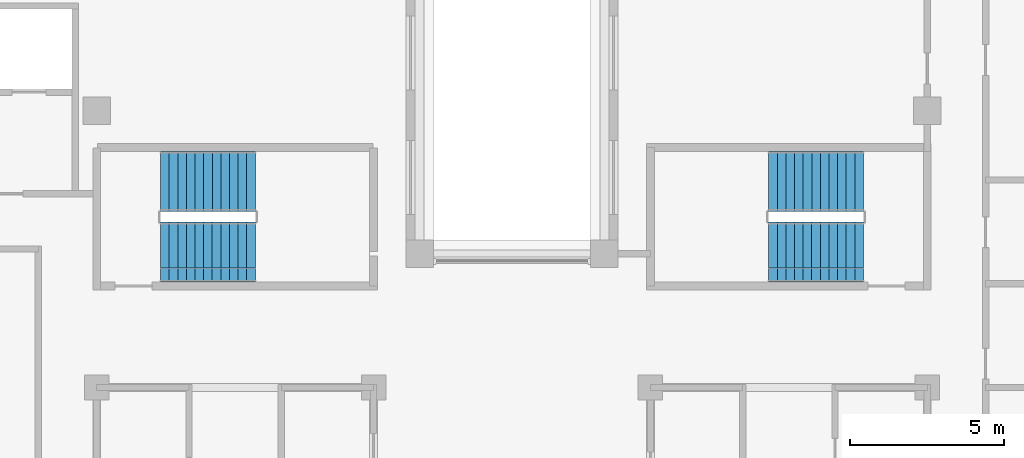
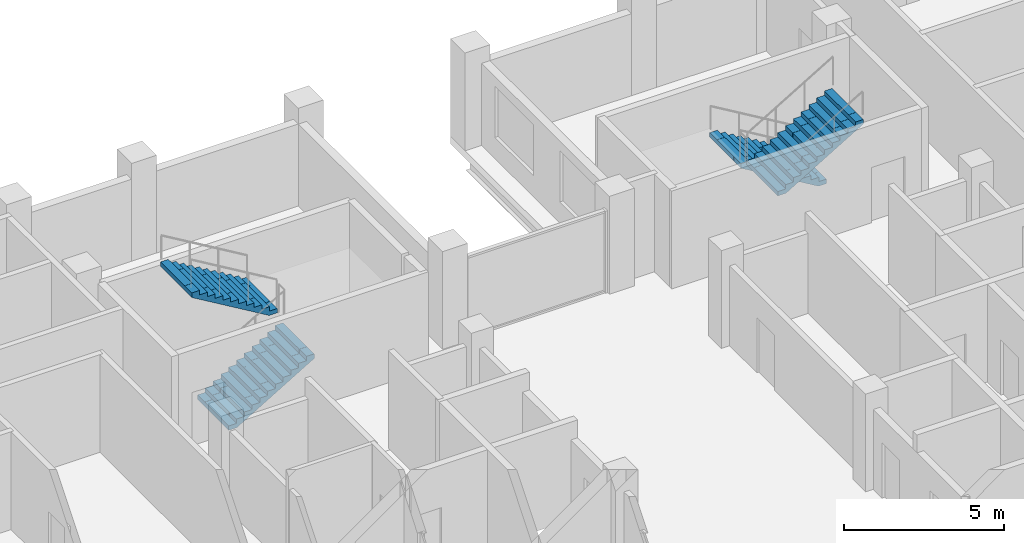
# One storey, part 12 of 13: 4 stair flights, 2 elements without a shape of their own.
"""IFC4 building model written with IfcOpenShell, lengths in metres."""

from ifc_helpers import new_model, si_unit, direction, frame, origin, place, context, subcontext, project, spatial, polyline, outline, extrude, material, type_object, element, aggregate, save


model = new_model("IFC4")

# Units and contexts
model_context = context("Model", 3, precision=1e-05, world=origin(), true_north=direction((0.0, 1.0)))
body_context = subcontext(model_context, "Body", "Model", "MODEL_VIEW")
ifc_project = project(units=[si_unit("LENGTHUNIT", "METRE"), si_unit("AREAUNIT", "SQUARE_METRE"), si_unit("VOLUMEUNIT", "CUBIC_METRE"), si_unit("PLANEANGLEUNIT", "RADIAN"), si_unit("MASSUNIT", "GRAM", prefix="KILO")], contexts=[model_context])

# Site, building, storey
site_placement = place(None, origin())
site = spatial("IfcSite", under=ifc_project, at=site_placement, CompositionType="ELEMENT")
building_placement = place(site_placement, origin())
building = spatial("IfcBuilding", under=site, at=building_placement, Name="Corbelhall Arena Tower", CompositionType="ELEMENT")
storey_placement = place(building_placement, frame((0.0, 0.0, 258.0)))
storey = spatial("IfcBuildingStorey", under=building, at=storey_placement, Name="L55", CompositionType="ELEMENT", Elevation=258.0)

# Stair, stair flights
ifc_material = material(Name="Concrete C40/50", Category="concrete")
stair_type = type_object("IfcStairType", Name="IN-ST-TOWER", PredefinedType="HALF_TURN_STAIR", material=ifc_material)
stair_1_placement = place(storey_placement, origin())
stair_1 = element("IfcStair", 1, at=stair_1_placement, inside=storey, type_object=stair_type, Name="L55 Exit stair ST1", PredefinedType="HALF_TURN_STAIR")
stair_flight_type = type_object("IfcStairFlightType", Name="IN-SFL-RC", PredefinedType="STRAIGHT", material=ifc_material)
stair_flight_1_placement = place(storey_placement, frame((-11.425048828125, 13.39990234375, 0.0), z_axis=(0.0, 0.0, 1.0), x_axis=(1.0, 0.0, 0.0)))
stair_flight_1 = element("IfcStairFlight", 2, at=stair_flight_1_placement, type_object=stair_flight_type, Name="ST1 flight 1", NumberOfRisers=12, NumberOfTreads=11, PredefinedType="STRAIGHT", RiserHeight=0.166666667, TreadLength=0.28, context=body_context, shape_type="SweptSolid", body=[
    extrude(outline(polyline([(0.0, 0.0), (0.0, 0.166748046875), (0.280029296875, 0.166748046875), (0.280029296875, 0.333251953125), (0.56005859375, 0.333251953125), (0.56005859375, 0.5), (0.840087890625, 0.5), (0.840087890625, 0.666748046875), (1.1201171875, 0.666748046875), (1.1201171875, 0.833251953125), (1.39990234375, 0.833251953125), (1.39990234375, 1.0), (1.679931640625, 1.0), (1.679931640625, 1.166748046875), (1.9599609375, 1.166748046875), (1.9599609375, 1.333251953125), (2.239990234375, 1.333251953125), (2.239990234375, 1.5), (2.52001953125, 1.5), (2.52001953125, 1.666748046875), (2.800048828125, 1.666748046875), (2.800048828125, 1.833251953125), (3.080078125, 1.833251953125), (3.080078125, 2.0), (3.080078125, 1.658935546875), (0.29296875, 0.0), (0.0, 0.0)])), frame((0.0, 0.97509765625, 0.0), z_axis=(0.0, -1.0, 0.0), x_axis=(1.0, 0.0, 0.0)), (0.0, 0.0, 1.0), 0.449951171875),
    extrude(outline(polyline([(0.0, 0.0), (0.0, 0.166748046875), (0.280029296875, 0.166748046875), (0.280029296875, 0.333251953125), (0.56005859375, 0.333251953125), (0.56005859375, 0.5), (0.840087890625, 0.5), (0.840087890625, 0.666748046875), (1.1201171875, 0.666748046875), (1.1201171875, 0.833251953125), (1.39990234375, 0.833251953125), (1.39990234375, 1.0), (1.679931640625, 1.0), (1.679931640625, 1.166748046875), (1.9599609375, 1.166748046875), (1.9599609375, 1.333251953125), (2.239990234375, 1.333251953125), (2.239990234375, 1.5), (2.52001953125, 1.5), (2.52001953125, 1.666748046875), (2.800048828125, 1.666748046875), (2.800048828125, 1.833251953125), (3.080078125, 1.833251953125), (3.080078125, 2.0), (3.080078125, 1.658935546875), (0.29296875, 0.0), (0.0, 0.0)])), frame((0.0, 0.52099609375, 0.0), z_axis=(0.0, -1.0, 0.0), x_axis=(1.0, 0.0, 0.0)), (0.0, 0.0, 1.0), 1.0419921875),
    extrude(outline(polyline([(0.0, 0.0), (0.0, 0.166748046875), (0.280029296875, 0.166748046875), (0.280029296875, 0.333251953125), (0.56005859375, 0.333251953125), (0.56005859375, 0.5), (0.840087890625, 0.5), (0.840087890625, 0.666748046875), (1.1201171875, 0.666748046875), (1.1201171875, 0.833251953125), (1.39990234375, 0.833251953125), (1.39990234375, 1.0), (1.679931640625, 1.0), (1.679931640625, 1.166748046875), (1.9599609375, 1.166748046875), (1.9599609375, 1.333251953125), (2.239990234375, 1.333251953125), (2.239990234375, 1.5), (2.52001953125, 1.5), (2.52001953125, 1.666748046875), (2.800048828125, 1.666748046875), (2.800048828125, 1.833251953125), (3.080078125, 1.833251953125), (3.080078125, 2.0), (3.080078125, 1.658935546875), (0.29296875, 0.0), (0.0, 0.0)])), frame((0.0, -0.52490234375, 0.0), z_axis=(0.0, -1.0, 0.0), x_axis=(1.0, 0.0, 0.0)), (0.0, 0.0, 1.0), 0.449951171875),
])
stair_flight_2_placement = place(storey_placement, frame((-8.344970703125, 15.699951171875, 2.0), z_axis=(0.0, 0.0, 1.0), x_axis=(-1.0, 0.0, 0.0)))
stair_flight_2 = element("IfcStairFlight", 3, at=stair_flight_2_placement, type_object=stair_flight_type, Name="ST1 flight 2", NumberOfRisers=12, NumberOfTreads=11, PredefinedType="STRAIGHT", RiserHeight=0.166666667, TreadLength=0.28, context=body_context, shape_type="SweptSolid", body=[
    extrude(outline(polyline([(0.0, 0.0), (0.0, 0.166748046875), (0.280029296875, 0.166748046875), (0.280029296875, 0.333251953125), (0.56005859375, 0.333251953125), (0.56005859375, 0.5), (0.840087890625, 0.5), (0.840087890625, 0.666748046875), (1.1201171875, 0.666748046875), (1.1201171875, 0.833251953125), (1.39990234375, 0.833251953125), (1.39990234375, 1.0), (1.679931640625, 1.0), (1.679931640625, 1.166748046875), (1.9599609375, 1.166748046875), (1.9599609375, 1.333251953125), (2.239990234375, 1.333251953125), (2.239990234375, 1.5), (2.52001953125, 1.5), (2.52001953125, 1.666748046875), (2.800048828125, 1.666748046875), (2.800048828125, 1.833251953125), (3.080078125, 1.833251953125), (3.080078125, 2.0), (3.080078125, 1.658935546875), (0.29296875, 0.0), (0.0, 0.0)])), frame((0.0, 0.97509765625, 0.0), z_axis=(0.0, -1.0, 0.0), x_axis=(1.0, 0.0, 0.0)), (0.0, 0.0, 1.0), 0.449951171875),
    extrude(outline(polyline([(0.0, 0.0), (0.0, 0.166748046875), (0.280029296875, 0.166748046875), (0.280029296875, 0.333251953125), (0.56005859375, 0.333251953125), (0.56005859375, 0.5), (0.840087890625, 0.5), (0.840087890625, 0.666748046875), (1.1201171875, 0.666748046875), (1.1201171875, 0.833251953125), (1.39990234375, 0.833251953125), (1.39990234375, 1.0), (1.679931640625, 1.0), (1.679931640625, 1.166748046875), (1.9599609375, 1.166748046875), (1.9599609375, 1.333251953125), (2.239990234375, 1.333251953125), (2.239990234375, 1.5), (2.52001953125, 1.5), (2.52001953125, 1.666748046875), (2.800048828125, 1.666748046875), (2.800048828125, 1.833251953125), (3.080078125, 1.833251953125), (3.080078125, 2.0), (3.080078125, 1.658935546875), (0.29296875, 0.0), (0.0, 0.0)])), frame((0.0, 0.52099609375, 0.0), z_axis=(0.0, -1.0, 0.0), x_axis=(1.0, 0.0, 0.0)), (0.0, 0.0, 1.0), 1.0419921875),
    extrude(outline(polyline([(0.0, 0.0), (0.0, 0.166748046875), (0.280029296875, 0.166748046875), (0.280029296875, 0.333251953125), (0.56005859375, 0.333251953125), (0.56005859375, 0.5), (0.840087890625, 0.5), (0.840087890625, 0.666748046875), (1.1201171875, 0.666748046875), (1.1201171875, 0.833251953125), (1.39990234375, 0.833251953125), (1.39990234375, 1.0), (1.679931640625, 1.0), (1.679931640625, 1.166748046875), (1.9599609375, 1.166748046875), (1.9599609375, 1.333251953125), (2.239990234375, 1.333251953125), (2.239990234375, 1.5), (2.52001953125, 1.5), (2.52001953125, 1.666748046875), (2.800048828125, 1.666748046875), (2.800048828125, 1.833251953125), (3.080078125, 1.833251953125), (3.080078125, 2.0), (3.080078125, 1.658935546875), (0.29296875, 0.0), (0.0, 0.0)])), frame((0.0, -0.52490234375, 0.0), z_axis=(0.0, -1.0, 0.0), x_axis=(1.0, 0.0, 0.0)), (0.0, 0.0, 1.0), 0.449951171875),
])
aggregate(stair_1, [stair_flight_1, stair_flight_2])

stair_2_placement = place(storey_placement, origin())
stair_2 = element("IfcStair", 4, at=stair_2_placement, inside=storey, type_object=stair_type, Name="L55 Exit stair ST3", PredefinedType="HALF_TURN_STAIR")
stair_flight_3_placement = place(storey_placement, frame((11.425048828125, 15.699951171875, 0.0), z_axis=(0.0, 0.0, 1.0), x_axis=(-1.0, 0.0, 0.0)))
stair_flight_3 = element("IfcStairFlight", 5, at=stair_flight_3_placement, type_object=stair_flight_type, Name="ST3 flight 1", NumberOfRisers=12, NumberOfTreads=11, PredefinedType="STRAIGHT", RiserHeight=0.166666667, TreadLength=0.28, context=body_context, shape_type="SweptSolid", body=[
    extrude(outline(polyline([(0.0, 0.0), (0.0, 0.166748046875), (0.280029296875, 0.166748046875), (0.280029296875, 0.333251953125), (0.56005859375, 0.333251953125), (0.56005859375, 0.5), (0.840087890625, 0.5), (0.840087890625, 0.666748046875), (1.1201171875, 0.666748046875), (1.1201171875, 0.833251953125), (1.39990234375, 0.833251953125), (1.39990234375, 1.0), (1.679931640625, 1.0), (1.679931640625, 1.166748046875), (1.9599609375, 1.166748046875), (1.9599609375, 1.333251953125), (2.239990234375, 1.333251953125), (2.239990234375, 1.5), (2.52001953125, 1.5), (2.52001953125, 1.666748046875), (2.800048828125, 1.666748046875), (2.800048828125, 1.833251953125), (3.080078125, 1.833251953125), (3.080078125, 2.0), (3.080078125, 1.658935546875), (0.29296875, 0.0), (0.0, 0.0)])), frame((0.0, 0.97509765625, 0.0), z_axis=(0.0, -1.0, 0.0), x_axis=(1.0, 0.0, 0.0)), (0.0, 0.0, 1.0), 0.449951171875),
    extrude(outline(polyline([(0.0, 0.0), (0.0, 0.166748046875), (0.280029296875, 0.166748046875), (0.280029296875, 0.333251953125), (0.56005859375, 0.333251953125), (0.56005859375, 0.5), (0.840087890625, 0.5), (0.840087890625, 0.666748046875), (1.1201171875, 0.666748046875), (1.1201171875, 0.833251953125), (1.39990234375, 0.833251953125), (1.39990234375, 1.0), (1.679931640625, 1.0), (1.679931640625, 1.166748046875), (1.9599609375, 1.166748046875), (1.9599609375, 1.333251953125), (2.239990234375, 1.333251953125), (2.239990234375, 1.5), (2.52001953125, 1.5), (2.52001953125, 1.666748046875), (2.800048828125, 1.666748046875), (2.800048828125, 1.833251953125), (3.080078125, 1.833251953125), (3.080078125, 2.0), (3.080078125, 1.658935546875), (0.29296875, 0.0), (0.0, 0.0)])), frame((0.0, 0.52099609375, 0.0), z_axis=(0.0, -1.0, 0.0), x_axis=(1.0, 0.0, 0.0)), (0.0, 0.0, 1.0), 1.0419921875),
    extrude(outline(polyline([(0.0, 0.0), (0.0, 0.166748046875), (0.280029296875, 0.166748046875), (0.280029296875, 0.333251953125), (0.56005859375, 0.333251953125), (0.56005859375, 0.5), (0.840087890625, 0.5), (0.840087890625, 0.666748046875), (1.1201171875, 0.666748046875), (1.1201171875, 0.833251953125), (1.39990234375, 0.833251953125), (1.39990234375, 1.0), (1.679931640625, 1.0), (1.679931640625, 1.166748046875), (1.9599609375, 1.166748046875), (1.9599609375, 1.333251953125), (2.239990234375, 1.333251953125), (2.239990234375, 1.5), (2.52001953125, 1.5), (2.52001953125, 1.666748046875), (2.800048828125, 1.666748046875), (2.800048828125, 1.833251953125), (3.080078125, 1.833251953125), (3.080078125, 2.0), (3.080078125, 1.658935546875), (0.29296875, 0.0), (0.0, 0.0)])), frame((0.0, -0.52490234375, 0.0), z_axis=(0.0, -1.0, 0.0), x_axis=(1.0, 0.0, 0.0)), (0.0, 0.0, 1.0), 0.449951171875),
])
stair_flight_4_placement = place(storey_placement, frame((8.344970703125, 13.39990234375, 2.0), z_axis=(0.0, 0.0, 1.0), x_axis=(1.0, 0.0, 0.0)))
stair_flight_4 = element("IfcStairFlight", 6, at=stair_flight_4_placement, type_object=stair_flight_type, Name="ST3 flight 2", NumberOfRisers=12, NumberOfTreads=11, PredefinedType="STRAIGHT", RiserHeight=0.166666667, TreadLength=0.28, context=body_context, shape_type="SweptSolid", body=[
    extrude(outline(polyline([(0.0, 0.0), (0.0, 0.166748046875), (0.280029296875, 0.166748046875), (0.280029296875, 0.333251953125), (0.56005859375, 0.333251953125), (0.56005859375, 0.5), (0.840087890625, 0.5), (0.840087890625, 0.666748046875), (1.1201171875, 0.666748046875), (1.1201171875, 0.833251953125), (1.39990234375, 0.833251953125), (1.39990234375, 1.0), (1.679931640625, 1.0), (1.679931640625, 1.166748046875), (1.9599609375, 1.166748046875), (1.9599609375, 1.333251953125), (2.239990234375, 1.333251953125), (2.239990234375, 1.5), (2.52001953125, 1.5), (2.52001953125, 1.666748046875), (2.800048828125, 1.666748046875), (2.800048828125, 1.833251953125), (3.080078125, 1.833251953125), (3.080078125, 2.0), (3.080078125, 1.658935546875), (0.29296875, 0.0), (0.0, 0.0)])), frame((0.0, 0.97509765625, 0.0), z_axis=(0.0, -1.0, 0.0), x_axis=(1.0, 0.0, 0.0)), (0.0, 0.0, 1.0), 0.449951171875),
    extrude(outline(polyline([(0.0, 0.0), (0.0, 0.166748046875), (0.280029296875, 0.166748046875), (0.280029296875, 0.333251953125), (0.56005859375, 0.333251953125), (0.56005859375, 0.5), (0.840087890625, 0.5), (0.840087890625, 0.666748046875), (1.1201171875, 0.666748046875), (1.1201171875, 0.833251953125), (1.39990234375, 0.833251953125), (1.39990234375, 1.0), (1.679931640625, 1.0), (1.679931640625, 1.166748046875), (1.9599609375, 1.166748046875), (1.9599609375, 1.333251953125), (2.239990234375, 1.333251953125), (2.239990234375, 1.5), (2.52001953125, 1.5), (2.52001953125, 1.666748046875), (2.800048828125, 1.666748046875), (2.800048828125, 1.833251953125), (3.080078125, 1.833251953125), (3.080078125, 2.0), (3.080078125, 1.658935546875), (0.29296875, 0.0), (0.0, 0.0)])), frame((0.0, 0.52099609375, 0.0), z_axis=(0.0, -1.0, 0.0), x_axis=(1.0, 0.0, 0.0)), (0.0, 0.0, 1.0), 1.0419921875),
    extrude(outline(polyline([(0.0, 0.0), (0.0, 0.166748046875), (0.280029296875, 0.166748046875), (0.280029296875, 0.333251953125), (0.56005859375, 0.333251953125), (0.56005859375, 0.5), (0.840087890625, 0.5), (0.840087890625, 0.666748046875), (1.1201171875, 0.666748046875), (1.1201171875, 0.833251953125), (1.39990234375, 0.833251953125), (1.39990234375, 1.0), (1.679931640625, 1.0), (1.679931640625, 1.166748046875), (1.9599609375, 1.166748046875), (1.9599609375, 1.333251953125), (2.239990234375, 1.333251953125), (2.239990234375, 1.5), (2.52001953125, 1.5), (2.52001953125, 1.666748046875), (2.800048828125, 1.666748046875), (2.800048828125, 1.833251953125), (3.080078125, 1.833251953125), (3.080078125, 2.0), (3.080078125, 1.658935546875), (0.29296875, 0.0), (0.0, 0.0)])), frame((0.0, -0.52490234375, 0.0), z_axis=(0.0, -1.0, 0.0), x_axis=(1.0, 0.0, 0.0)), (0.0, 0.0, 1.0), 0.449951171875),
])
aggregate(stair_2, [stair_flight_3, stair_flight_4])

save(model, "model.ifc")
